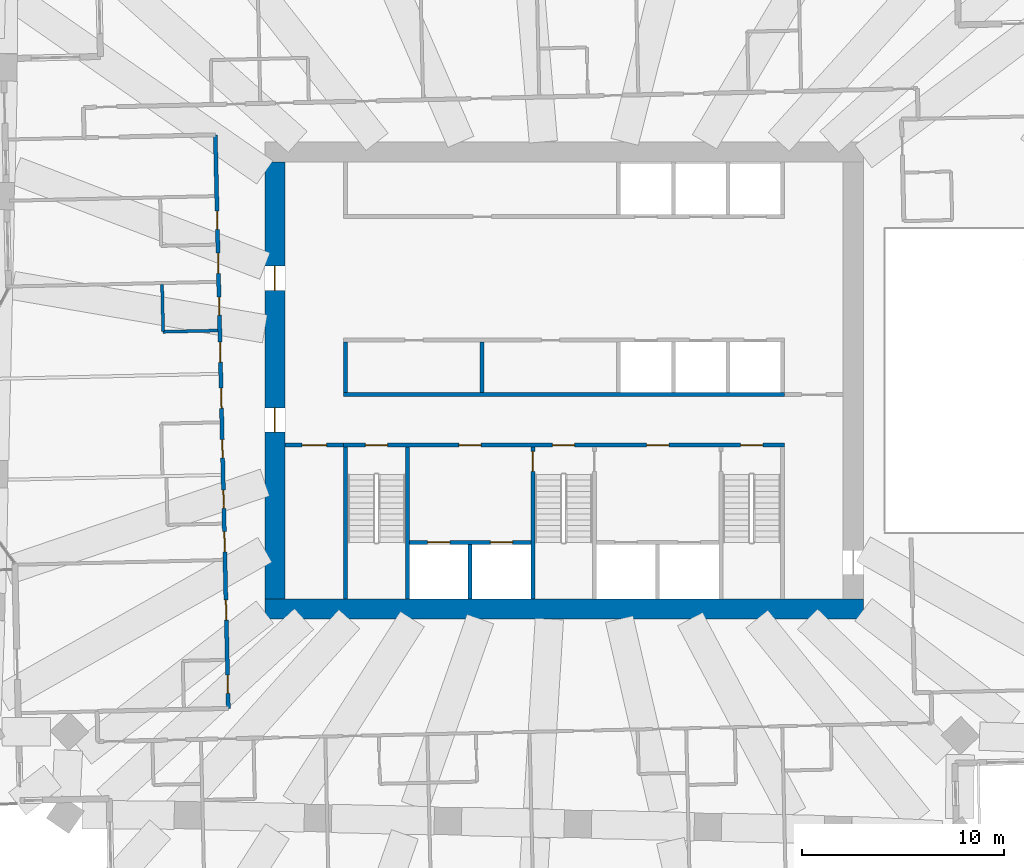
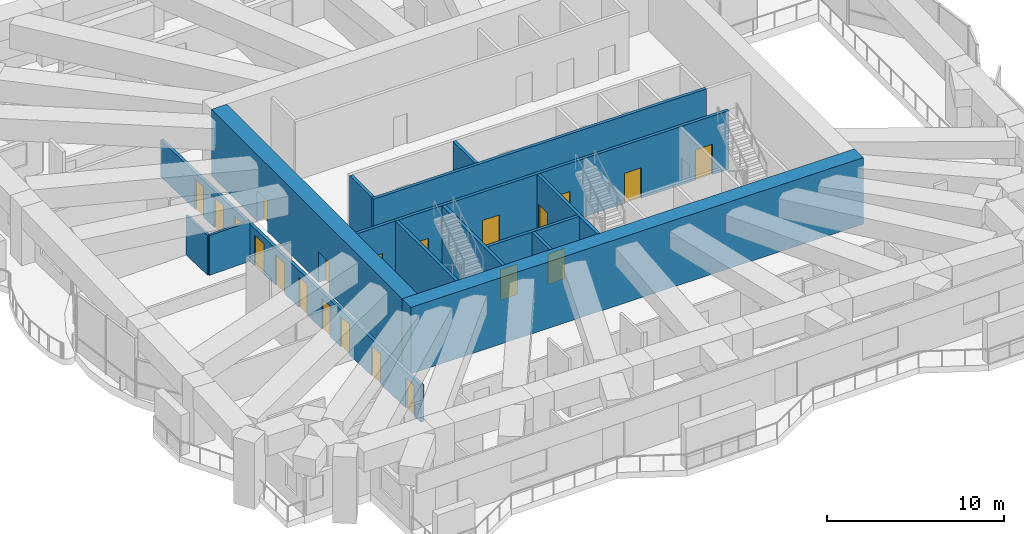
# One storey, part 11 of 21: 21 doors, 15 walls, 21 openings.
"""IFC4 building model written with IfcOpenShell, lengths in metres."""

import ifcopenshell
import ifcopenshell.guid

model = None  # the IFC model being written
_history = None  # IfcOwnerHistory: only IFC2X3 demands one
_inside = {}  # id of a spatial element -> (the spatial element, [elements in it])
_under = {}  # id of a project, library or spatial element -> (it, [spatial elements below it])
_declared = {}  # id of a project -> (the project, [libraries it declares])
_typed = {}  # id of a type object -> (the type object, [elements of that type])
_made_of = {}  # id of a material, layer set ... -> (it, [elements and type objects made of it])


def new_model(schema):
    """Start an empty IFC model of exactly this schema.

    Asked for "IFC4X3", IfcOpenShell would pick the latest addendum, in which some entities
    have other attributes; the version numbers below select the first issue.
    IFC2X3 requires an IfcOwnerHistory on every rooted entity: one is made here for all.
    """
    global model, _history
    if schema == "IFC4X3":
        model = ifcopenshell.file(schema_version=(4, 3, 0, 0))
    else:
        model = ifcopenshell.file(schema=schema)
    _inside.clear()
    _under.clear()
    _declared.clear()
    _typed.clear()
    _made_of.clear()
    _history = None
    if model.schema == "IFC2X3":
        org = make("IfcOrganization", Name="unknown")
        user = make(
            "IfcPersonAndOrganization",
            ThePerson=make("IfcPerson", FamilyName="unknown"),
            TheOrganization=org,
        )
        app = make(
            "IfcApplication",
            ApplicationDeveloper=org,
            Version="unknown",
            ApplicationFullName="unknown",
            ApplicationIdentifier="unknown",
        )
        _history = make(
            "IfcOwnerHistory",
            OwningUser=user,
            OwningApplication=app,
            ChangeAction="ADDED",
            CreationDate=0,
        )
    return model


def make(cls, **values):
    """One entity of the class cls with the attributes given. An attribute that is None is left unset."""
    return model.create_entity(
        cls, **{name: value for name, value in values.items() if value is not None}
    )


def rooted(cls, **values):
    """An entity with a GlobalId (a new one), such as an element, a storey or a relation."""
    return make(cls, GlobalId=ifcopenshell.guid.new(), OwnerHistory=_history, **values)


def si_unit(unit_type, name, prefix=None):
    """IfcSIUnit, for example si_unit("LENGTHUNIT", "METRE", prefix="MILLI")."""
    return make("IfcSIUnit", UnitType=unit_type, Prefix=prefix, Name=name)


def assignment(units):
    """IfcUnitAssignment: the units of a project."""
    return None if units is None else make("IfcUnitAssignment", Units=units)


def point(xyz):
    """IfcCartesianPoint."""
    return None if xyz is None else make("IfcCartesianPoint", Coordinates=xyz)


def direction(xyz):
    """IfcDirection."""
    return None if xyz is None else make("IfcDirection", DirectionRatios=xyz)


def frame(location, z_axis=None, x_axis=None):
    """IfcAxis2Placement3D, a coordinate frame: its origin and axes. An axis left out is left unset."""
    return make(
        "IfcAxis2Placement3D",
        Location=point(location),
        Axis=direction(z_axis),
        RefDirection=direction(x_axis),
    )


def frame_2d(location, x_axis=None):
    """IfcAxis2Placement2D, a coordinate frame in the plane: its origin and x axis."""
    return make(
        "IfcAxis2Placement2D", Location=point(location), RefDirection=direction(x_axis)
    )


def origin():
    """The frame at (0, 0, 0) with its axes left unset."""
    return frame((0.0, 0.0, 0.0))


def place(relative_to, where):
    """IfcLocalPlacement: puts the frame where relative to a parent placement (None: the world)."""
    return make(
        "IfcLocalPlacement", PlacementRelTo=relative_to, RelativePlacement=where
    )


def context(
    kind, dimensions, precision=None, world=None, true_north=None, identifier=None
):
    """IfcGeometricRepresentationContext, for example the 3D "Model" context."""
    return make(
        "IfcGeometricRepresentationContext",
        ContextIdentifier=identifier,
        ContextType=kind,
        CoordinateSpaceDimension=dimensions,
        Precision=precision,
        WorldCoordinateSystem=world,
        TrueNorth=true_north,
    )


def subcontext(parent, identifier, kind, view, scale=None):
    """IfcGeometricRepresentationSubContext, for example "Body" below "Model"."""
    return make(
        "IfcGeometricRepresentationSubContext",
        ContextIdentifier=identifier,
        ContextType=kind,
        ParentContext=parent,
        TargetScale=scale,
        TargetView=view,
    )


def project(units=None, contexts=None):
    """IfcProject with its units and contexts."""
    return rooted(
        "IfcProject",
        Name="project",
        RepresentationContexts=contexts,
        UnitsInContext=assignment(units),
    )


def spatial(cls, under=None, at=None, **own):
    """A site, building, storey or space (cls), placed at a placement, below another one or the project."""
    s = rooted(cls, ObjectPlacement=at, **own)
    if under is not None:
        _under.setdefault(under.id(), (under, []))[1].append(s)
    return s


def profile(cls, at=None, kind="AREA", **sizes):
    """A parametric profile (cls). Its sizes go by their IFC names, for example OverallWidth=200.0."""
    return make(cls, ProfileType=kind, Position=at, **sizes)


def rectangle(**sizes):
    """IfcRectangleProfileDef."""
    return profile("IfcRectangleProfileDef", **sizes)


def extrude(swept, where, along, depth):
    """IfcExtrudedAreaSolid: the profile swept, set in the frame where, extruded along a direction by depth."""
    return make(
        "IfcExtrudedAreaSolid",
        SweptArea=swept,
        Position=where,
        ExtrudedDirection=direction(along),
        Depth=depth,
    )


def shape(context_of_items, identifier, shape_type, items):
    """IfcShapeRepresentation: the items that make up one representation, for example the "Body"."""
    return make(
        "IfcShapeRepresentation",
        ContextOfItems=context_of_items,
        RepresentationIdentifier=identifier,
        RepresentationType=shape_type,
        Items=items,
    )


def material(Name=None, Category=None):
    """IfcMaterial."""
    return make("IfcMaterial", Name=Name, Category=Category)


def layer(
    of_material, thickness, ventilated=None, Name=None, Category=None, Priority=None
):
    """IfcMaterialLayer: one layer of a wall or slab, of a material (None: an air gap)."""
    return make(
        "IfcMaterialLayer",
        Material=of_material,
        LayerThickness=thickness,
        IsVentilated=ventilated,
        Name=Name,
        Category=Category,
        Priority=Priority,
    )


def layer_set(layers, Name=None):
    """IfcMaterialLayerSet."""
    return make("IfcMaterialLayerSet", MaterialLayers=layers, LayerSetName=Name)


def made_of(thing, what):
    """Note that an element or type object is made of a material, layer set ...; save() writes the relation."""
    if what is not None:
        _made_of.setdefault(what.id(), (what, []))[1].append(thing)
    return thing


def type_object(cls, material=None, **own):
    """A type object (cls), such as IfcWallType, which elements share."""
    return made_of(rooted(cls, **own), material)


def element(
    cls,
    number,
    at=None,
    inside=None,
    cuts=None,
    type_object=None,
    material=None,
    context=None,
    identifier="Body",
    shape_type=None,
    held_by="IfcProductDefinitionShape",
    body=None,
    shapes=None,
    **own,
):
    """One element of the class cls, such as IfcWall. Its Tag is "e" and its number.

    at: its placement. inside: the storey or other place that contains it. cuts: it is an
    opening in that element (IfcRelVoidsElement). A single representation is given by context,
    identifier, shape_type and body (its items); several are given by shapes. held_by: the class
    of the entity that holds the representations. save() writes the other relations.
    """
    e = rooted(cls, Tag="e%d" % number, ObjectPlacement=at, **own)
    if body is not None:
        shapes = [shape(context, identifier, shape_type, body)]
    if shapes is not None:
        e.Representation = make(held_by, Representations=shapes)
    if inside is not None:
        _inside.setdefault(inside.id(), (inside, []))[1].append(e)
    if cuts is not None:
        rooted(
            "IfcRelVoidsElement", RelatingBuildingElement=cuts, RelatedOpeningElement=e
        )
    if type_object is not None:
        _typed.setdefault(type_object.id(), (type_object, []))[1].append(e)
    return made_of(e, material)


def fill(opening, filler):
    """IfcRelFillsElement: the door or window that sits in an opening."""
    return rooted(
        "IfcRelFillsElement",
        RelatingOpeningElement=opening,
        RelatedBuildingElement=filler,
    )


def aggregate(whole, parts):
    """IfcRelAggregates: a whole, such as a stair, and the parts it consists of."""
    return rooted("IfcRelAggregates", RelatingObject=whole, RelatedObjects=parts)


def save(model, path):
    """Write the relations noted so far, then the file.

    IfcRelAggregates (storeys below a building ...), IfcRelContainedInSpatialStructure (elements
    in a storey), IfcRelDefinesByType, IfcRelAssociatesMaterial and IfcRelDeclares: one each for
    every whole, place, type object, material and project.
    """
    for whole, parts in _under.values():
        aggregate(whole, parts)
    for where, things in _inside.values():
        rooted(
            "IfcRelContainedInSpatialStructure",
            RelatedElements=things,
            RelatingStructure=where,
        )
    for kind, things in _typed.values():
        rooted("IfcRelDefinesByType", RelatedObjects=things, RelatingType=kind)
    for what, things in _made_of.values():
        rooted("IfcRelAssociatesMaterial", RelatedObjects=things, RelatingMaterial=what)
    for by, libraries in _declared.values():
        rooted("IfcRelDeclares", RelatingContext=by, RelatedDefinitions=libraries)
    model.write(path)


model = new_model("IFC4")

# Units and contexts
model_context = context("Model", 3, precision=1e-05, world=origin(), true_north=direction((0.0, 1.0)))
body_context = subcontext(model_context, "Body", "Model", "MODEL_VIEW")
ifc_project = project(units=[si_unit("LENGTHUNIT", "METRE"), si_unit("AREAUNIT", "SQUARE_METRE"), si_unit("VOLUMEUNIT", "CUBIC_METRE"), si_unit("PLANEANGLEUNIT", "RADIAN"), si_unit("MASSUNIT", "GRAM", prefix="KILO")], contexts=[model_context])

# Site, building, storey
site_placement = place(None, origin())
site = spatial("IfcSite", under=ifc_project, at=site_placement, CompositionType="ELEMENT")
building_placement = place(site_placement, origin())
building = spatial("IfcBuilding", under=site, at=building_placement, Name="Mangrove Gate Tower", CompositionType="ELEMENT")
storey_placement = place(building_placement, frame((0.0, 0.0, 125.5)))
storey = spatial("IfcBuildingStorey", under=building, at=storey_placement, Name="L31", CompositionType="ELEMENT", Elevation=125.5)

# Wall, opening, door
ifc_material_1 = material(Name="Concrete C32/40", Category="concrete")
ifc_layer_1 = layer(ifc_material_1, 0.199951171875)
ifc_layer_set_1 = layer_set([ifc_layer_1], Name="Core lobby wall 200 C32/40")
wall_type_1 = type_object("IfcWallType", Name="Core lobby wall 200 C32/40", PredefinedType="STANDARD", material=ifc_layer_set_1)
wall_1_placement = place(storey_placement, frame((-13.800048828125, -3.199951171875, 0.0), z_axis=(0.0, 0.0, 1.0), x_axis=(1.0, 0.0, 0.0)))
wall_1 = element("IfcWall", 1, at=wall_1_placement, inside=storey, type_object=wall_type_1, Name="WALL-L31-CORE-30", PredefinedType="STANDARD", context=body_context, shape_type="SweptSolid", body=[
    extrude(rectangle(XDim=2.900146484375, YDim=0.199951171875, at=frame_2d((1.4501953125, 0.0))), origin(), (0.0, 0.0, 1.0), 4.050048828125),
])
opening_1_placement = place(wall_1_placement, frame((0.85009765625, 0.0, 0.0)))
opening_1 = element("IfcOpeningElement", 2, at=opening_1_placement, cuts=wall_1, Name="Opening FL12", PredefinedType="OPENING", context=body_context, shape_type="SweptSolid", body=[
    extrude(rectangle(XDim=1.199951171875, YDim=2.10009765625, at=frame_2d((0.60009765625, 1.050048828125))), frame((0.0, 0.10986328125, 0.0), z_axis=(0.0, -1.0, 0.0), x_axis=(1.0, 0.0, 0.0)), (0.0, 0.0, 1.0), 0.219970703125),
])
ifc_material_2 = material(Name="Fire-rated steel door set", Category="steel")
door_type_1 = type_object("IfcDoorType", Name="Lobby door FD60 1200x2100", OperationType="SINGLE_SWING_LEFT", PredefinedType="DOOR", material=ifc_material_2)
door_1_placement = place(opening_1_placement, origin())
door_1 = element("IfcDoor", 3, at=door_1_placement, inside=storey, type_object=door_type_1, Name="Lobby door core corridor W partition", OperationType="SINGLE_SWING_LEFT", OverallHeight=2.10009765625, OverallWidth=1.199951171875, PredefinedType="DOOR", context=body_context, shape_type="SweptSolid", body=[
    extrude(rectangle(XDim=1.199951171875, YDim=2.10009765625, at=frame_2d((0.60009765625, 1.050048828125))), frame((0.0, 0.02490234375, 0.0), z_axis=(0.0, -1.0, 0.0), x_axis=(1.0, 0.0, 0.0)), (0.0, 0.0, 1.0), 0.050048828125),
])
fill(opening_1, door_1)

# Walls
ifc_material_3 = material(Name="Concrete C32/40", Category="concrete")
ifc_layer_2 = layer(ifc_material_3, 0.199951171875)
ifc_layer_set_2 = layer_set([ifc_layer_2], Name="Core room wall 200 C32/40")
wall_type_2 = type_object("IfcWallType", Name="Core room wall 200 C32/40", PredefinedType="STANDARD", material=ifc_layer_set_2)
for number, where, z_axis, x_axis, name in (
    (4, (-10.800048828125, -0.60009765625, 0.0), (0.0, 0.0, 1.0), (0.0, 1.0, 0.0), "WALL-L31-CORE-19"),
    (5, (-4.050048828125, -0.60009765625, 0.0), (0.0, 0.0, 1.0), (0.0, 1.0, 0.0), "WALL-L31-CORE-20"),
):
    element("IfcWall", number, at=place(storey_placement, frame(where, z_axis=z_axis, x_axis=x_axis)), inside=storey, type_object=wall_type_2, Name=name, PredefinedType="STANDARD", context=body_context, shape_type="SweptSolid", body=[
        extrude(rectangle(XDim=2.5, YDim=0.199951171875, at=frame_2d((1.25, 0.0))), origin(), (0.0, 0.0, 1.0), 4.050048828125),
    ])
ifc_material_4 = material(Name="Concrete C70/85", Category="concrete")
ifc_layer_3 = layer(ifc_material_4, 0.199951171875)
ifc_layer_set_3 = layer_set([ifc_layer_3], Name="Core shaft wall 200 C70/85")
wall_type_3 = type_object("IfcWallType", Name="Core shaft wall 200 C70/85", PredefinedType="SHEAR", material=ifc_layer_set_3)
wall_2_placement = place(storey_placement, frame((-10.89990234375, -0.699951171875, 0.0), z_axis=(0.0, 0.0, 1.0), x_axis=(1.0, 0.0, 0.0)))
element("IfcWall", 6, at=wall_2_placement, inside=storey, type_object=wall_type_3, Name="WALL-L31-CORE-6", PredefinedType="SHEAR", context=body_context, shape_type="SweptSolid", body=[
    extrude(rectangle(XDim=21.7998046875, YDim=0.199951171875, at=frame_2d((10.89990234375, 0.0))), origin(), (0.0, 0.0, 1.0), 4.050048828125),
])

# Wall, openings, doors
wall_3_placement = place(storey_placement, frame((-7.64990234375, -8.0, 0.0), z_axis=(0.0, 0.0, 1.0), x_axis=(1.0, 0.0, 0.0)))
wall_3 = element("IfcWall", 7, at=wall_3_placement, inside=storey, type_object=wall_type_3, Name="WALL-L31-CORE-15", PredefinedType="SHEAR", context=body_context, shape_type="SweptSolid", body=[
    extrude(rectangle(XDim=6.0, YDim=0.199951171875, at=frame_2d((3.0, 0.0))), origin(), (0.0, 0.0, 1.0), 4.050048828125),
])
opening_2_placement = place(wall_3_placement, frame((0.89990234375, 0.0, 0.0)))
opening_2 = element("IfcOpeningElement", 8, at=opening_2_placement, cuts=wall_3, Name="Opening LD", PredefinedType="OPENING", context=body_context, shape_type="SweptSolid", body=[
    extrude(rectangle(XDim=1.10009765625, YDim=2.10009765625, at=frame_2d((0.550048828125, 1.050048828125))), frame((0.0, 0.10986328125, 0.0), z_axis=(0.0, -1.0, 0.0), x_axis=(1.0, 0.0, 0.0)), (0.0, 0.0, 1.0), 0.219970703125),
])
opening_3_placement = place(wall_3_placement, frame((4.0, 0.0, 0.0)))
opening_3 = element("IfcOpeningElement", 9, at=opening_3_placement, cuts=wall_3, Name="Opening LD", PredefinedType="OPENING", context=body_context, shape_type="SweptSolid", body=[
    extrude(rectangle(XDim=1.10009765625, YDim=2.10009765625, at=frame_2d((0.550048828125, 1.050048828125))), frame((0.0, 0.10986328125, 0.0), z_axis=(0.0, -1.0, 0.0), x_axis=(1.0, 0.0, 0.0)), (0.0, 0.0, 1.0), 0.219970703125),
])
ifc_material_5 = material(Name="Stainless steel 316", Category="steel")
door_type_2 = type_object("IfcDoorType", Name="Lift landing door 1100x2100", OperationType="SLIDING_TO_LEFT", PredefinedType="DOOR", material=ifc_material_5)
door_2_placement = place(opening_2_placement, origin())
door_2 = element("IfcDoor", 10, at=door_2_placement, inside=storey, type_object=door_type_2, Name="Landing door LD SVL1", OperationType="SLIDING_TO_LEFT", OverallHeight=2.10009765625, OverallWidth=1.10009765625, PredefinedType="DOOR", context=body_context, shape_type="SweptSolid", body=[
    extrude(rectangle(XDim=1.10009765625, YDim=2.10009765625, at=frame_2d((0.550048828125, 1.050048828125))), frame((0.0, 0.02490234375, 0.0), z_axis=(0.0, -1.0, 0.0), x_axis=(1.0, 0.0, 0.0)), (0.0, 0.0, 1.0), 0.050048828125),
])
fill(opening_2, door_2)
door_3_placement = place(opening_3_placement, origin())
door_3 = element("IfcDoor", 11, at=door_3_placement, inside=storey, type_object=door_type_2, Name="Landing door LD SVL2", OperationType="SLIDING_TO_LEFT", OverallHeight=2.10009765625, OverallWidth=1.10009765625, PredefinedType="DOOR", context=body_context, shape_type="SweptSolid", body=[
    extrude(rectangle(XDim=1.10009765625, YDim=2.10009765625, at=frame_2d((0.550048828125, 1.050048828125))), frame((0.0, 0.02490234375, 0.0), z_axis=(0.0, -1.0, 0.0), x_axis=(1.0, 0.0, 0.0)), (0.0, 0.0, 1.0), 0.050048828125),
])
fill(opening_3, door_3)

# Wall
wall_4_placement = place(storey_placement, frame((-4.64990234375, -10.800048828125, 0.0), z_axis=(0.0, 0.0, 1.0), x_axis=(0.0, 1.0, 0.0)))
element("IfcWall", 12, at=wall_4_placement, inside=storey, type_object=wall_type_3, Name="WALL-L31-CORE-16", PredefinedType="SHEAR", context=body_context, shape_type="SweptSolid", body=[
    extrude(rectangle(XDim=2.699951171875, YDim=0.199951171875, at=frame_2d((1.35009765625, 0.0))), origin(), (0.0, 0.0, 1.0), 4.050048828125),
])

# Wall, openings, doors
ifc_material_6 = material(Name="Concrete C70/85", Category="concrete")
ifc_layer_4 = layer(ifc_material_6, 0.199951171875)
ifc_layer_set_4 = layer_set([ifc_layer_4], Name="Core stair wall 200 C70/85")
wall_type_4 = type_object("IfcWallType", Name="Core stair wall 200 C70/85", PredefinedType="SHEAR", material=ifc_layer_set_4)
wall_5_placement = place(storey_placement, frame((-10.89990234375, -3.199951171875, 0.0), z_axis=(0.0, 0.0, 1.0), x_axis=(1.0, 0.0, 0.0)))
wall_5 = element("IfcWall", 13, at=wall_5_placement, inside=storey, type_object=wall_type_4, Name="WALL-L31-CORE-5", PredefinedType="SHEAR", context=body_context, shape_type="SweptSolid", body=[
    extrude(rectangle(XDim=21.7998046875, YDim=0.199951171875, at=frame_2d((10.89990234375, 0.0))), origin(), (0.0, 0.0, 1.0), 4.050048828125),
])
opening_4_placement = place(wall_5_placement, frame((1.074951171875, 0.0, 0.0)))
opening_4 = element("IfcOpeningElement", 14, at=opening_4_placement, cuts=wall_5, Name="Opening STD11", PredefinedType="OPENING", context=body_context, shape_type="SweptSolid", body=[
    extrude(rectangle(XDim=1.10009765625, YDim=2.10009765625, at=frame_2d((0.550048828125, 1.050048828125))), frame((0.0, 0.10986328125, 0.0), z_axis=(0.0, -1.0, 0.0), x_axis=(1.0, 0.0, 0.0)), (0.0, 0.0, 1.0), 0.219970703125),
])
opening_5_placement = place(wall_5_placement, frame((10.324951171875, 0.0, 0.0)))
opening_5 = element("IfcOpeningElement", 15, at=opening_5_placement, cuts=wall_5, Name="Opening STD11", PredefinedType="OPENING", context=body_context, shape_type="SweptSolid", body=[
    extrude(rectangle(XDim=1.10009765625, YDim=2.10009765625, at=frame_2d((0.550048828125, 1.050048828125))), frame((0.0, 0.10986328125, 0.0), z_axis=(0.0, -1.0, 0.0), x_axis=(1.0, 0.0, 0.0)), (0.0, 0.0, 1.0), 0.219970703125),
])
opening_6_placement = place(wall_5_placement, frame((19.625, 0.0, 0.0)))
opening_6 = element("IfcOpeningElement", 16, at=opening_6_placement, cuts=wall_5, Name="Opening STD11", PredefinedType="OPENING", context=body_context, shape_type="SweptSolid", body=[
    extrude(rectangle(XDim=1.10009765625, YDim=2.10009765625, at=frame_2d((0.550048828125, 1.050048828125))), frame((0.0, 0.10986328125, 0.0), z_axis=(0.0, -1.0, 0.0), x_axis=(1.0, 0.0, 0.0)), (0.0, 0.0, 1.0), 0.219970703125),
])
opening_7_placement = place(wall_5_placement, frame((5.699951171875, 0.0, 0.0)))
opening_7 = element("IfcOpeningElement", 17, at=opening_7_placement, cuts=wall_5, Name="Opening FL", PredefinedType="OPENING", context=body_context, shape_type="SweptSolid", body=[
    extrude(rectangle(XDim=1.10009765625, YDim=2.10009765625, at=frame_2d((0.550048828125, 1.050048828125))), frame((0.0, 0.10986328125, 0.0), z_axis=(0.0, -1.0, 0.0), x_axis=(1.0, 0.0, 0.0)), (0.0, 0.0, 1.0), 0.219970703125),
])
opening_8_placement = place(wall_5_placement, frame((14.97509765625, 0.0, 0.0)))
opening_8 = element("IfcOpeningElement", 18, at=opening_8_placement, cuts=wall_5, Name="Opening FL", PredefinedType="OPENING", context=body_context, shape_type="SweptSolid", body=[
    extrude(rectangle(XDim=1.10009765625, YDim=2.10009765625, at=frame_2d((0.550048828125, 1.050048828125))), frame((0.0, 0.10986328125, 0.0), z_axis=(0.0, -1.0, 0.0), x_axis=(1.0, 0.0, 0.0)), (0.0, 0.0, 1.0), 0.219970703125),
])
ifc_material_7 = material(Name="Fire-rated steel door set", Category="steel")
door_type_3 = type_object("IfcDoorType", Name="Lobby door FD60 1100x2100", OperationType="SINGLE_SWING_LEFT", PredefinedType="DOOR", material=ifc_material_7)
door_4_placement = place(opening_7_placement, origin())
door_4 = element("IfcDoor", 19, at=door_4_placement, inside=storey, type_object=door_type_3, Name="Lobby door service lobby", OperationType="SINGLE_SWING_LEFT", OverallHeight=2.10009765625, OverallWidth=1.10009765625, PredefinedType="DOOR", context=body_context, shape_type="SweptSolid", body=[
    extrude(rectangle(XDim=1.10009765625, YDim=2.10009765625, at=frame_2d((0.550048828125, 1.050048828125))), frame((0.0, 0.02490234375, 0.0), z_axis=(0.0, -1.0, 0.0), x_axis=(1.0, 0.0, 0.0)), (0.0, 0.0, 1.0), 0.050048828125),
])
fill(opening_7, door_4)
door_5_placement = place(opening_8_placement, origin())
door_5 = element("IfcDoor", 20, at=door_5_placement, inside=storey, type_object=door_type_3, Name="Lobby door fire-fighting lobby", OperationType="SINGLE_SWING_LEFT", OverallHeight=2.10009765625, OverallWidth=1.10009765625, PredefinedType="DOOR", context=body_context, shape_type="SweptSolid", body=[
    extrude(rectangle(XDim=1.10009765625, YDim=2.10009765625, at=frame_2d((0.550048828125, 1.050048828125))), frame((0.0, 0.02490234375, 0.0), z_axis=(0.0, -1.0, 0.0), x_axis=(1.0, 0.0, 0.0)), (0.0, 0.0, 1.0), 0.050048828125),
])
fill(opening_8, door_5)
ifc_material_8 = material(Name="Fire-rated steel door set", Category="steel")
door_type_4 = type_object("IfcDoorType", Name="Stair door FD60 1100x2100", OperationType="SINGLE_SWING_RIGHT", PredefinedType="DOOR", material=ifc_material_8)
door_6_placement = place(opening_4_placement, origin())
door_6 = element("IfcDoor", 21, at=door_6_placement, inside=storey, type_object=door_type_4, Name="Stair door Stair 1", OperationType="SINGLE_SWING_RIGHT", OverallHeight=2.10009765625, OverallWidth=1.10009765625, PredefinedType="DOOR", context=body_context, shape_type="SweptSolid", body=[
    extrude(rectangle(XDim=1.10009765625, YDim=2.10009765625, at=frame_2d((0.550048828125, 1.050048828125))), frame((0.0, 0.02490234375, 0.0), z_axis=(0.0, -1.0, 0.0), x_axis=(1.0, 0.0, 0.0)), (0.0, 0.0, 1.0), 0.050048828125),
])
fill(opening_4, door_6)
door_7_placement = place(opening_5_placement, origin())
door_7 = element("IfcDoor", 22, at=door_7_placement, inside=storey, type_object=door_type_4, Name="Stair door Stair 2", OperationType="SINGLE_SWING_RIGHT", OverallHeight=2.10009765625, OverallWidth=1.10009765625, PredefinedType="DOOR", context=body_context, shape_type="SweptSolid", body=[
    extrude(rectangle(XDim=1.10009765625, YDim=2.10009765625, at=frame_2d((0.550048828125, 1.050048828125))), frame((0.0, 0.02490234375, 0.0), z_axis=(0.0, -1.0, 0.0), x_axis=(1.0, 0.0, 0.0)), (0.0, 0.0, 1.0), 0.050048828125),
])
fill(opening_5, door_7)
door_8_placement = place(opening_6_placement, origin())
door_8 = element("IfcDoor", 23, at=door_8_placement, inside=storey, type_object=door_type_4, Name="Stair door Stair 3", OperationType="SINGLE_SWING_RIGHT", OverallHeight=2.10009765625, OverallWidth=1.10009765625, PredefinedType="DOOR", context=body_context, shape_type="SweptSolid", body=[
    extrude(rectangle(XDim=1.10009765625, YDim=2.10009765625, at=frame_2d((0.550048828125, 1.050048828125))), frame((0.0, 0.02490234375, 0.0), z_axis=(0.0, -1.0, 0.0), x_axis=(1.0, 0.0, 0.0)), (0.0, 0.0, 1.0), 0.050048828125),
])
fill(opening_6, door_8)

# Walls
for number, where, z_axis, x_axis, name in (
    (24, (-10.800048828125, -10.800048828125, 0.0), (0.0, 0.0, 1.0), (0.0, 1.0, 0.0), "WALL-L31-CORE-9"),
    (25, (-7.75, -10.800048828125, 0.0), (0.0, 0.0, 1.0), (0.0, 1.0, 0.0), "WALL-L31-CORE-10"),
):
    element("IfcWall", number, at=place(storey_placement, frame(where, z_axis=z_axis, x_axis=x_axis)), inside=storey, type_object=wall_type_4, Name=name, PredefinedType="SHEAR", context=body_context, shape_type="SweptSolid", body=[
        extrude(rectangle(XDim=7.5, YDim=0.199951171875, at=frame_2d((3.75, 0.0))), origin(), (0.0, 0.0, 1.0), 4.050048828125),
    ])

# Wall, opening, door
wall_6_placement = place(storey_placement, frame((-1.550048828125, -10.800048828125, 0.0), z_axis=(0.0, 0.0, 1.0), x_axis=(0.0, 1.0, 0.0)))
wall_6 = element("IfcWall", 26, at=wall_6_placement, inside=storey, type_object=wall_type_4, Name="WALL-L31-CORE-11", PredefinedType="SHEAR", context=body_context, shape_type="SweptSolid", body=[
    extrude(rectangle(XDim=7.5, YDim=0.199951171875, at=frame_2d((3.75, 0.0))), origin(), (0.0, 0.0, 1.0), 4.050048828125),
])
opening_9_placement = place(wall_6_placement, frame((6.300048828125, 0.0, 0.0)))
opening_9 = element("IfcOpeningElement", 27, at=opening_9_placement, cuts=wall_6, Name="Opening STD10", PredefinedType="OPENING", context=body_context, shape_type="SweptSolid", body=[
    extrude(rectangle(XDim=1.0, YDim=2.10009765625, at=frame_2d((0.5, 1.050048828125))), frame((0.0, 0.10986328125, 0.0), z_axis=(0.0, -1.0, 0.0), x_axis=(1.0, 0.0, 0.0)), (0.0, 0.0, 1.0), 0.219970703125),
])
ifc_material_9 = material(Name="Fire-rated steel door set", Category="steel")
door_type_5 = type_object("IfcDoorType", Name="Stair door FD60 1000x2100", OperationType="SINGLE_SWING_RIGHT", PredefinedType="DOOR", material=ifc_material_9)
door_9_placement = place(opening_9_placement, origin())
door_9 = element("IfcDoor", 28, at=door_9_placement, inside=storey, type_object=door_type_5, Name="Stair door Stair 2 from service lobby", OperationType="SINGLE_SWING_RIGHT", OverallHeight=2.10009765625, OverallWidth=1.0, PredefinedType="DOOR", context=body_context, shape_type="SweptSolid", body=[
    extrude(rectangle(XDim=1.0, YDim=2.10009765625, at=frame_2d((0.5, 1.050048828125))), frame((0.0, 0.02490234375, 0.0), z_axis=(0.0, -1.0, 0.0), x_axis=(1.0, 0.0, 0.0)), (0.0, 0.0, 1.0), 0.050048828125),
])
fill(opening_9, door_9)

# Wall
ifc_material_10 = material(Name="Concrete C70/85", Category="concrete")
ifc_layer_5 = layer(ifc_material_10, 1.0)
ifc_layer_set_5 = layer_set([ifc_layer_5], Name="Core wall 1000 C70/85")
wall_type_5 = type_object("IfcWallType", Name="Core wall 1000 C70/85", PredefinedType="SHEAR", material=ifc_layer_set_5)
wall_7_placement = place(storey_placement, frame((-14.800048828125, -11.300048828125, 0.0), z_axis=(0.0, 0.0, 1.0), x_axis=(1.0, 0.0, 0.0)))
element("IfcWall", 29, at=wall_7_placement, inside=storey, type_object=wall_type_5, Name="WALL-L31-CORE-1", PredefinedType="SHEAR", context=body_context, shape_type="SweptSolid", body=[
    extrude(rectangle(XDim=29.60009765625, YDim=1.0, at=frame_2d((14.800048828125, 0.0))), origin(), (0.0, 0.0, 1.0), 4.60009765625),
])

# Wall, openings, doors
wall_8_placement = place(storey_placement, frame((-14.300048828125, -10.800048828125, 0.0), z_axis=(0.0, 0.0, 1.0), x_axis=(0.0, 1.0, 0.0)))
wall_8 = element("IfcWall", 30, at=wall_8_placement, inside=storey, type_object=wall_type_5, Name="WALL-L31-CORE-3", PredefinedType="SHEAR", context=body_context, shape_type="SweptSolid", body=[
    extrude(rectangle(XDim=21.60009765625, YDim=1.0, at=frame_2d((10.800048828125, 0.0))), origin(), (0.0, 0.0, 1.0), 4.60009765625),
])
opening_10_placement = place(wall_8_placement, frame((8.25, 0.0, 0.0)))
opening_10 = element("IfcOpeningElement", 31, at=opening_10_placement, cuts=wall_8, Name="Opening CD", PredefinedType="OPENING", context=body_context, shape_type="SweptSolid", body=[
    extrude(rectangle(XDim=1.199951171875, YDim=2.10009765625, at=frame_2d((0.60009765625, 1.050048828125))), frame((0.0, 0.510009765625, 0.0), z_axis=(0.0, -1.0, 0.0), x_axis=(1.0, 0.0, 0.0)), (0.0, 0.0, 1.0), 1.02001953125),
])
opening_11_placement = place(wall_8_placement, frame((15.25, 0.0, 0.0)))
opening_11 = element("IfcOpeningElement", 32, at=opening_11_placement, cuts=wall_8, Name="Opening CD", PredefinedType="OPENING", context=body_context, shape_type="SweptSolid", body=[
    extrude(rectangle(XDim=1.199951171875, YDim=2.10009765625, at=frame_2d((0.60009765625, 1.050048828125))), frame((0.0, 0.510009765625, 0.0), z_axis=(0.0, -1.0, 0.0), x_axis=(1.0, 0.0, 0.0)), (0.0, 0.0, 1.0), 1.02001953125),
])
ifc_material_11 = material(Name="Fire-rated steel door set", Category="steel")
door_type_6 = type_object("IfcDoorType", Name="Core ring door FD60 1200x2100", OperationType="DOUBLE_DOOR_SINGLE_SWING", PredefinedType="DOOR", material=ifc_material_11)
door_10_placement = place(opening_10_placement, origin())
door_10 = element("IfcDoor", 33, at=door_10_placement, inside=storey, type_object=door_type_6, Name="Core ring door W1", OperationType="DOUBLE_DOOR_SINGLE_SWING", OverallHeight=2.10009765625, OverallWidth=1.199951171875, PredefinedType="DOOR", context=body_context, shape_type="SweptSolid", body=[
    extrude(rectangle(XDim=1.199951171875, YDim=2.10009765625, at=frame_2d((0.60009765625, 1.050048828125))), frame((0.0, 0.02490234375, 0.0), z_axis=(0.0, -1.0, 0.0), x_axis=(1.0, 0.0, 0.0)), (0.0, 0.0, 1.0), 0.050048828125),
])
fill(opening_10, door_10)
door_11_placement = place(opening_11_placement, origin())
door_11 = element("IfcDoor", 34, at=door_11_placement, inside=storey, type_object=door_type_6, Name="Core ring door W2", OperationType="DOUBLE_DOOR_SINGLE_SWING", OverallHeight=2.10009765625, OverallWidth=1.199951171875, PredefinedType="DOOR", context=body_context, shape_type="SweptSolid", body=[
    extrude(rectangle(XDim=1.199951171875, YDim=2.10009765625, at=frame_2d((0.60009765625, 1.050048828125))), frame((0.0, 0.02490234375, 0.0), z_axis=(0.0, -1.0, 0.0), x_axis=(1.0, 0.0, 0.0)), (0.0, 0.0, 1.0), 0.050048828125),
])
fill(opening_11, door_11)

ifc_material_12 = material(Name="Gypsum board on steel stud, EI 60", Category="steel")
ifc_layer_6 = layer(ifc_material_12, 0.199951171875)
ifc_layer_set_6 = layer_set([ifc_layer_6], Name="Corridor wall EI 60")
wall_type_6 = type_object("IfcWallType", Name="Corridor wall EI 60", PredefinedType="PARTITIONING", material=ifc_layer_set_6)
wall_9_placement = place(storey_placement, frame((-16.60302734375, -16.218017578125, 0.0), z_axis=(0.0, 0.0, 1.0), x_axis=(-0.022698146637, 0.999742363881, 0.0)))
wall_9 = element("IfcWall", 35, at=wall_9_placement, inside=storey, type_object=wall_type_6, Name="WALL-L31-026", PredefinedType="PARTITIONING", context=body_context, shape_type="SweptSolid", body=[
    extrude(rectangle(XDim=28.374267578125, YDim=0.199951171875, at=frame_2d((14.18701171875, 0.0))), origin(), (0.0, 0.0, 1.0), 2.550048828125),
])
opening_12_placement = place(wall_9_placement, frame((21.52392578125, 0.0, 0.0)))
opening_12 = element("IfcOpeningElement", 36, at=opening_12_placement, cuts=wall_9, Name="Opening AD", PredefinedType="OPENING", context=body_context, shape_type="SweptSolid", body=[
    extrude(rectangle(XDim=1.0, YDim=2.10009765625, at=frame_2d((0.5, 1.050048828125))), frame((0.0, 0.10986328125, 0.0), z_axis=(0.0, -1.0, 0.0), x_axis=(1.0, 0.0, 0.0)), (0.0, 0.0, 1.0), 0.219970703125),
])
opening_13_placement = place(wall_9_placement, frame((23.698974609375, 0.0, 0.0)))
opening_13 = element("IfcOpeningElement", 37, at=opening_13_placement, cuts=wall_9, Name="Opening SD", PredefinedType="OPENING", context=body_context, shape_type="SweptSolid", body=[
    extrude(rectangle(XDim=0.89990234375, YDim=2.10009765625, at=frame_2d((0.449951171875, 1.050048828125))), frame((0.0, 0.10986328125, 0.0), z_axis=(0.0, -1.0, 0.0), x_axis=(1.0, 0.0, 0.0)), (0.0, 0.0, 1.0), 0.219970703125),
])
opening_14_placement = place(wall_9_placement, frame((17.1240234375, 0.0, 0.0)))
opening_14 = element("IfcOpeningElement", 38, at=opening_14_placement, cuts=wall_9, Name="Opening AD", PredefinedType="OPENING", context=body_context, shape_type="SweptSolid", body=[
    extrude(rectangle(XDim=1.0, YDim=2.10009765625, at=frame_2d((0.5, 1.050048828125))), frame((0.0, 0.10986328125, 0.0), z_axis=(0.0, -1.0, 0.0), x_axis=(1.0, 0.0, 0.0)), (0.0, 0.0, 1.0), 0.219970703125),
])
opening_15_placement = place(wall_9_placement, frame((19.448974609375, 0.0, 0.0)))
opening_15 = element("IfcOpeningElement", 39, at=opening_15_placement, cuts=wall_9, Name="Opening SD", PredefinedType="OPENING", context=body_context, shape_type="SweptSolid", body=[
    extrude(rectangle(XDim=0.89990234375, YDim=2.10009765625, at=frame_2d((0.449951171875, 1.050048828125))), frame((0.0, 0.10986328125, 0.0), z_axis=(0.0, -1.0, 0.0), x_axis=(1.0, 0.0, 0.0)), (0.0, 0.0, 1.0), 0.219970703125),
])
opening_16_placement = place(wall_9_placement, frame((14.84912109375, 0.0, 0.0)))
opening_16 = element("IfcOpeningElement", 40, at=opening_16_placement, cuts=wall_9, Name="Opening AD", PredefinedType="OPENING", context=body_context, shape_type="SweptSolid", body=[
    extrude(rectangle(XDim=1.0, YDim=2.10009765625, at=frame_2d((0.5, 1.050048828125))), frame((0.0, 0.10986328125, 0.0), z_axis=(0.0, -1.0, 0.0), x_axis=(1.0, 0.0, 0.0)), (0.0, 0.0, 1.0), 0.219970703125),
])
opening_17_placement = place(wall_9_placement, frame((12.39892578125, 0.0, 0.0)))
opening_17 = element("IfcOpeningElement", 41, at=opening_17_placement, cuts=wall_9, Name="Opening SD", PredefinedType="OPENING", context=body_context, shape_type="SweptSolid", body=[
    extrude(rectangle(XDim=0.89990234375, YDim=2.10009765625, at=frame_2d((0.449951171875, 1.050048828125))), frame((0.0, 0.10986328125, 0.0), z_axis=(0.0, -1.0, 0.0), x_axis=(1.0, 0.0, 0.0)), (0.0, 0.0, 1.0), 0.219970703125),
])
opening_18_placement = place(wall_9_placement, frame((7.7490234375, 0.0, 0.0)))
opening_18 = element("IfcOpeningElement", 42, at=opening_18_placement, cuts=wall_9, Name="Opening AD", PredefinedType="OPENING", context=body_context, shape_type="SweptSolid", body=[
    extrude(rectangle(XDim=1.0, YDim=2.10009765625, at=frame_2d((0.5, 1.050048828125))), frame((0.0, 0.10986328125, 0.0), z_axis=(0.0, -1.0, 0.0), x_axis=(1.0, 0.0, 0.0)), (0.0, 0.0, 1.0), 0.219970703125),
])
opening_19_placement = place(wall_9_placement, frame((9.89892578125, 0.0, 0.0)))
opening_19 = element("IfcOpeningElement", 43, at=opening_19_placement, cuts=wall_9, Name="Opening SD", PredefinedType="OPENING", context=body_context, shape_type="SweptSolid", body=[
    extrude(rectangle(XDim=0.89990234375, YDim=2.10009765625, at=frame_2d((0.449951171875, 1.050048828125))), frame((0.0, 0.10986328125, 0.0), z_axis=(0.0, -1.0, 0.0), x_axis=(1.0, 0.0, 0.0)), (0.0, 0.0, 1.0), 0.219970703125),
])
opening_20_placement = place(wall_9_placement, frame((4.3740234375, 0.0, 0.0)))
opening_20 = element("IfcOpeningElement", 44, at=opening_20_placement, cuts=wall_9, Name="Opening AD", PredefinedType="OPENING", context=body_context, shape_type="SweptSolid", body=[
    extrude(rectangle(XDim=1.0, YDim=2.10009765625, at=frame_2d((0.5, 1.050048828125))), frame((0.0, 0.10986328125, 0.0), z_axis=(0.0, -1.0, 0.0), x_axis=(1.0, 0.0, 0.0)), (0.0, 0.0, 1.0), 0.219970703125),
])
opening_21_placement = place(wall_9_placement, frame((0.75, 0.0, 0.0)))
opening_21 = element("IfcOpeningElement", 45, at=opening_21_placement, cuts=wall_9, Name="Opening SD", PredefinedType="OPENING", context=body_context, shape_type="SweptSolid", body=[
    extrude(rectangle(XDim=0.89990234375, YDim=2.10009765625, at=frame_2d((0.449951171875, 1.050048828125))), frame((0.0, 0.10986328125, 0.0), z_axis=(0.0, -1.0, 0.0), x_axis=(1.0, 0.0, 0.0)), (0.0, 0.0, 1.0), 0.219970703125),
])
ifc_material_13 = material(Name="Timber door leaf", Category="wood")
door_type_7 = type_object("IfcDoorType", Name="Amenity door 1000", OperationType="SINGLE_SWING_LEFT", PredefinedType="DOOR", material=ifc_material_13)
door_12_placement = place(opening_12_placement, origin())
door_12 = element("IfcDoor", 46, at=door_12_placement, inside=storey, type_object=door_type_7, Name="DOOR-L31-GAM-c5a", OperationType="SINGLE_SWING_LEFT", OverallHeight=2.10009765625, OverallWidth=1.0, PredefinedType="DOOR", context=body_context, shape_type="SweptSolid", body=[
    extrude(rectangle(XDim=1.0, YDim=2.10009765625, at=frame_2d((0.5, 1.050048828125))), frame((0.0, 0.02490234375, 0.0), z_axis=(0.0, -1.0, 0.0), x_axis=(1.0, 0.0, 0.0)), (0.0, 0.0, 1.0), 0.050048828125),
])
fill(opening_12, door_12)
door_13_placement = place(opening_14_placement, origin())
door_13 = element("IfcDoor", 47, at=door_13_placement, inside=storey, type_object=door_type_7, Name="DOOR-L31-GAM-c5b", OperationType="SINGLE_SWING_RIGHT", OverallHeight=2.10009765625, OverallWidth=1.0, PredefinedType="DOOR", context=body_context, shape_type="SweptSolid", body=[
    extrude(rectangle(XDim=1.0, YDim=2.10009765625, at=frame_2d((0.5, 1.050048828125))), frame((0.0, 0.02490234375, 0.0), z_axis=(0.0, -1.0, 0.0), x_axis=(1.0, 0.0, 0.0)), (0.0, 0.0, 1.0), 0.050048828125),
])
fill(opening_14, door_13)
door_14_placement = place(opening_16_placement, origin())
door_14 = element("IfcDoor", 48, at=door_14_placement, inside=storey, type_object=door_type_7, Name="DOOR-L31-LNG-c5c", OperationType="SINGLE_SWING_LEFT", OverallHeight=2.10009765625, OverallWidth=1.0, PredefinedType="DOOR", context=body_context, shape_type="SweptSolid", body=[
    extrude(rectangle(XDim=1.0, YDim=2.10009765625, at=frame_2d((0.5, 1.050048828125))), frame((0.0, 0.02490234375, 0.0), z_axis=(0.0, -1.0, 0.0), x_axis=(1.0, 0.0, 0.0)), (0.0, 0.0, 1.0), 0.050048828125),
])
fill(opening_16, door_14)
door_15_placement = place(opening_18_placement, origin())
door_15 = element("IfcDoor", 49, at=door_15_placement, inside=storey, type_object=door_type_7, Name="DOOR-L31-STU-c5b", OperationType="SINGLE_SWING_RIGHT", OverallHeight=2.10009765625, OverallWidth=1.0, PredefinedType="DOOR", context=body_context, shape_type="SweptSolid", body=[
    extrude(rectangle(XDim=1.0, YDim=2.10009765625, at=frame_2d((0.5, 1.050048828125))), frame((0.0, 0.02490234375, 0.0), z_axis=(0.0, -1.0, 0.0), x_axis=(1.0, 0.0, 0.0)), (0.0, 0.0, 1.0), 0.050048828125),
])
fill(opening_18, door_15)
door_16_placement = place(opening_20_placement, origin())
door_16 = element("IfcDoor", 50, at=door_16_placement, inside=storey, type_object=door_type_7, Name="DOOR-L31-LNG-c5d", OperationType="SINGLE_SWING_LEFT", OverallHeight=2.10009765625, OverallWidth=1.0, PredefinedType="DOOR", context=body_context, shape_type="SweptSolid", body=[
    extrude(rectangle(XDim=1.0, YDim=2.10009765625, at=frame_2d((0.5, 1.050048828125))), frame((0.0, 0.02490234375, 0.0), z_axis=(0.0, -1.0, 0.0), x_axis=(1.0, 0.0, 0.0)), (0.0, 0.0, 1.0), 0.050048828125),
])
fill(opening_20, door_16)
ifc_material_14 = material(Name="Timber door leaf", Category="wood")
door_type_8 = type_object("IfcDoorType", Name="Service room door 900", OperationType="SINGLE_SWING_LEFT", PredefinedType="DOOR", material=ifc_material_14)
door_17_placement = place(opening_13_placement, origin())
door_17 = element("IfcDoor", 51, at=door_17_placement, inside=storey, type_object=door_type_8, Name="DOOR-L31-WC-c5a", OperationType="SINGLE_SWING_LEFT", OverallHeight=2.10009765625, OverallWidth=0.89990234375, PredefinedType="DOOR", context=body_context, shape_type="SweptSolid", body=[
    extrude(rectangle(XDim=0.89990234375, YDim=2.10009765625, at=frame_2d((0.449951171875, 1.050048828125))), frame((0.0, 0.02490234375, 0.0), z_axis=(0.0, -1.0, 0.0), x_axis=(1.0, 0.0, 0.0)), (0.0, 0.0, 1.0), 0.050048828125),
])
fill(opening_13, door_17)
door_18_placement = place(opening_15_placement, origin())
door_18 = element("IfcDoor", 52, at=door_18_placement, inside=storey, type_object=door_type_8, Name="DOOR-L31-WC-c5b", OperationType="SINGLE_SWING_RIGHT", OverallHeight=2.10009765625, OverallWidth=0.89990234375, PredefinedType="DOOR", context=body_context, shape_type="SweptSolid", body=[
    extrude(rectangle(XDim=0.89990234375, YDim=2.10009765625, at=frame_2d((0.449951171875, 1.050048828125))), frame((0.0, 0.02490234375, 0.0), z_axis=(0.0, -1.0, 0.0), x_axis=(1.0, 0.0, 0.0)), (0.0, 0.0, 1.0), 0.050048828125),
])
fill(opening_15, door_18)
door_19_placement = place(opening_17_placement, origin())
door_19 = element("IfcDoor", 53, at=door_19_placement, inside=storey, type_object=door_type_8, Name="DOOR-L31-AWC-c5a", OperationType="SINGLE_SWING_LEFT", OverallHeight=2.10009765625, OverallWidth=0.89990234375, PredefinedType="DOOR", context=body_context, shape_type="SweptSolid", body=[
    extrude(rectangle(XDim=0.89990234375, YDim=2.10009765625, at=frame_2d((0.449951171875, 1.050048828125))), frame((0.0, 0.02490234375, 0.0), z_axis=(0.0, -1.0, 0.0), x_axis=(1.0, 0.0, 0.0)), (0.0, 0.0, 1.0), 0.050048828125),
])
fill(opening_17, door_19)
door_20_placement = place(opening_19_placement, origin())
door_20 = element("IfcDoor", 54, at=door_20_placement, inside=storey, type_object=door_type_8, Name="DOOR-L31-WC-c5c", OperationType="SINGLE_SWING_RIGHT", OverallHeight=2.10009765625, OverallWidth=0.89990234375, PredefinedType="DOOR", context=body_context, shape_type="SweptSolid", body=[
    extrude(rectangle(XDim=0.89990234375, YDim=2.10009765625, at=frame_2d((0.449951171875, 1.050048828125))), frame((0.0, 0.02490234375, 0.0), z_axis=(0.0, -1.0, 0.0), x_axis=(1.0, 0.0, 0.0)), (0.0, 0.0, 1.0), 0.050048828125),
])
fill(opening_19, door_20)
door_21_placement = place(opening_21_placement, origin())
door_21 = element("IfcDoor", 55, at=door_21_placement, inside=storey, type_object=door_type_8, Name="DOOR-L31-LIN-c5c", OperationType="SINGLE_SWING_LEFT", OverallHeight=2.10009765625, OverallWidth=0.89990234375, PredefinedType="DOOR", context=body_context, shape_type="SweptSolid", body=[
    extrude(rectangle(XDim=0.89990234375, YDim=2.10009765625, at=frame_2d((0.449951171875, 1.050048828125))), frame((0.0, 0.02490234375, 0.0), z_axis=(0.0, -1.0, 0.0), x_axis=(1.0, 0.0, 0.0)), (0.0, 0.0, 1.0), 0.050048828125),
])
fill(opening_21, door_21)

# Walls
ifc_material_15 = material(Name="Gypsum board on steel stud, EI 60", Category="steel")
ifc_layer_7 = layer(ifc_material_15, 0.14990234375)
ifc_layer_set_7 = layer_set([ifc_layer_7], Name="Party wall 150 EI 60")
wall_type_7 = type_object("IfcWallType", Name="Party wall 150 EI 60", PredefinedType="PARTITIONING", material=ifc_layer_set_7)
wall_10_placement = place(storey_placement, frame((-19.827880859375, 2.407958984375, 0.0), z_axis=(0.0, 0.0, 1.0), x_axis=(0.99974458177, 0.022600248254, 0.0)))
element("IfcWall", 56, at=wall_10_placement, inside=storey, type_object=wall_type_7, Name="WALL-L31-040", PredefinedType="PARTITIONING", context=body_context, shape_type="SweptSolid", body=[
    extrude(rectangle(XDim=2.70068359375, YDim=0.14990234375, at=frame_2d((1.350341796875, 0.0))), origin(), (0.0, 0.0, 1.0), 2.75),
])
wall_11_placement = place(storey_placement, frame((-19.826904296875, 2.4130859375, 0.0), z_axis=(0.0, 0.0, 1.0), x_axis=(-0.02279059109, 0.999740260747, 0.0)))
element("IfcWall", 57, at=wall_11_placement, inside=storey, type_object=wall_type_7, Name="WALL-L31-041", PredefinedType="PARTITIONING", context=body_context, shape_type="SweptSolid", body=[
    extrude(rectangle(XDim=2.324462890625, YDim=0.14990234375, at=frame_2d((1.162109375, 0.0))), origin(), (0.0, 0.0, 1.0), 2.75),
])

save(model, "model.ifc")
